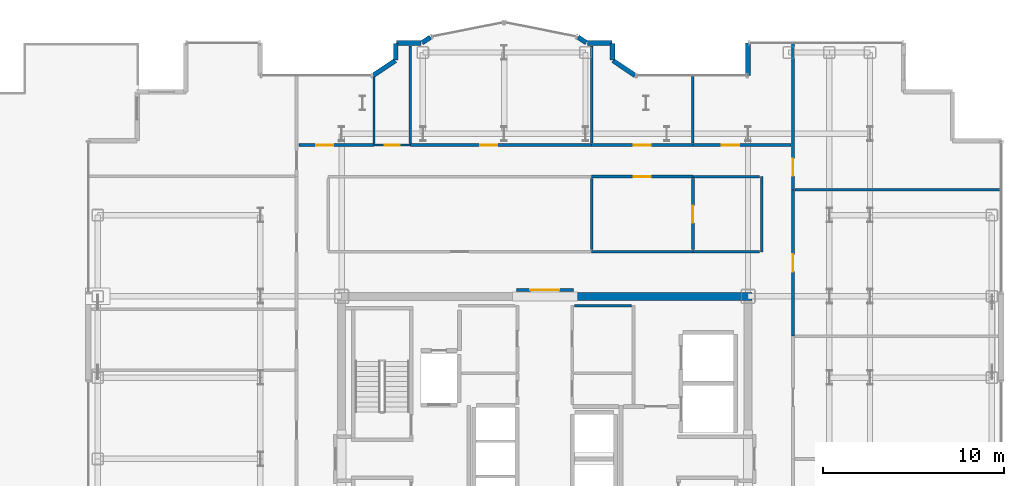
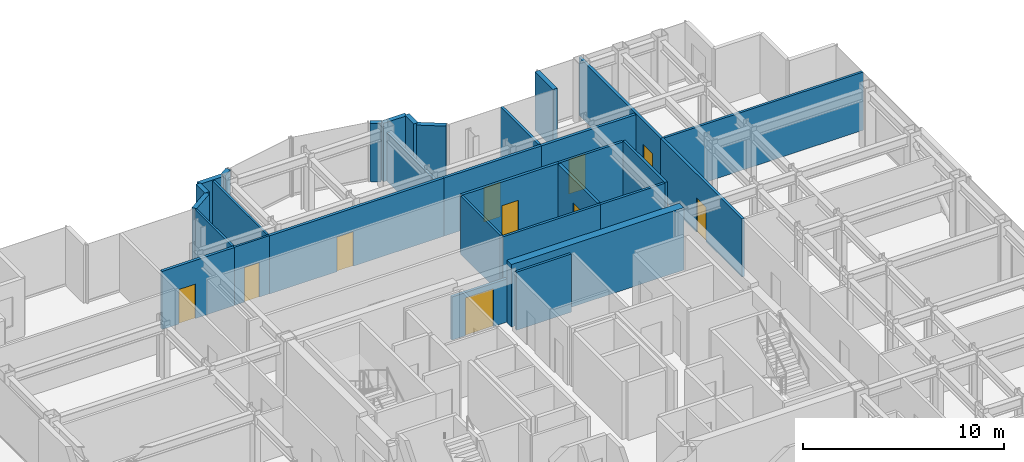
# One storey, part 18 of 21: 31 walls, 10 doors, 10 openings.
"""IFC4 building model written with IfcOpenShell, lengths in metres."""

from ifc_helpers import new_model, si_unit, direction, frame, frame_2d, origin, place, context, subcontext, project, spatial, rectangle, extrude, source, transform, mapped, material, layer, layer_set, type_object, element, fill, save


model = new_model("IFC4")

# Units and contexts
model_context = context("Model", 3, precision=1e-05, world=origin(), true_north=direction((0.0, 1.0)))
body_context = subcontext(model_context, "Body", "Model", "MODEL_VIEW")
ifc_project = project(units=[si_unit("LENGTHUNIT", "METRE"), si_unit("AREAUNIT", "SQUARE_METRE"), si_unit("VOLUMEUNIT", "CUBIC_METRE"), si_unit("PLANEANGLEUNIT", "RADIAN"), si_unit("MASSUNIT", "GRAM", prefix="KILO")], contexts=[model_context])

# Site, building, storey
site_placement = place(None, origin())
site = spatial("IfcSite", under=ifc_project, at=site_placement, CompositionType="ELEMENT")
building_placement = place(site_placement, origin())
building = spatial("IfcBuilding", under=site, at=building_placement, Name="Nefas-Gora Pilgrimage Tower", CompositionType="ELEMENT")
storey_placement = place(building_placement, frame((0.0, 0.0, 206.60009765625)))
storey = spatial("IfcBuildingStorey", under=building, at=storey_placement, Name="L51", CompositionType="ELEMENT", Elevation=206.60009765625)

# Walls
ifc_material_1 = material(Name="Concrete C50/60", Category="concrete")
ifc_layer_1 = layer(ifc_material_1, 0.449951171875)
ifc_layer_set_1 = layer_set([ifc_layer_1], Name="Concrete C50/60")
wall_type_1 = type_object("IfcWallType", Name="SW-CORE-450", PredefinedType="SHEAR", material=ifc_layer_set_1)
shared_shape_1 = source(origin(), body_context, "Body", "SweptSolid", [
    extrude(rectangle(XDim=9.925048828125, YDim=0.449951171875, at=frame_2d((4.96240234375, 0.0))), origin(), (0.0, 0.0, 1.0), 3.7998046875),
])
wall_1_placement = place(storey_placement, frame((1.550048828125, 9.0, 0.0), z_axis=(0.0, 0.0, 1.0), x_axis=(1.0, 0.0, 0.0)))
element("IfcWall", 1, at=wall_1_placement, inside=storey, type_object=wall_type_1, Name="L51 Core Shear Wall N-East", PredefinedType="SHEAR", context=body_context, shape_type="MappedRepresentation", body=[
    mapped(shared_shape_1, transform((0.0, 0.0, 0.0), x_axis=(1.0, 0.0, 0.0), y_axis=(0.0, 1.0, 0.0), z_axis=(0.0, 0.0, 1.0), scale=1.0)),
])
ifc_material_2 = material(Name="Precast concrete C40/50", Category="concrete")
ifc_layer_2 = layer(ifc_material_2, 0.260009765625)
ifc_layer_set_2 = layer_set([ifc_layer_2], Name="Precast concrete C40/50")
wall_type_2 = type_object("IfcWallType", Name="EW-PORTAL-260", PredefinedType="SOLIDWALL", material=ifc_layer_set_2)
shared_shape_2 = source(origin(), body_context, "Body", "SweptSolid", [
    extrude(rectangle(XDim=1.800048828125, YDim=0.260009765625, at=frame_2d((0.89990234375, 0.0))), origin(), (0.0, 0.0, 1.0), 3.5498046875),
])
wall_2_placement = place(storey_placement, frame((11.25, 23.02001953125, 0.0), z_axis=(0.0, 0.0, 1.0), x_axis=(0.0, -1.0, 0.0)))
element("IfcWall", 2, at=wall_2_placement, inside=storey, type_object=wall_type_2, Name="L51 Lobe Shoulder Precast Spandrel Pier 14", PredefinedType="SOLIDWALL", context=body_context, shape_type="MappedRepresentation", body=[
    mapped(shared_shape_2, transform((0.0, 0.0, 0.0), x_axis=(1.0, 0.0, 0.0), y_axis=(0.0, 1.0, 0.0), z_axis=(0.0, 0.0, 1.0), scale=1.0)),
])
shared_shape_3 = source(origin(), body_context, "Body", "SweptSolid", [
    extrude(rectangle(XDim=1.468994140625, YDim=0.260009765625, at=frame_2d((0.734375, 0.0))), origin(), (0.0, 0.0, 1.0), 3.5498046875),
])
for number, where, z_axis, x_axis, name in (
    (3, (4.99462890625, 21.235595703125, 0.0), (0.0, 0.0, 1.0), (-0.831461760506, 0.555581983884, 0.0), "L51 Lobe Shoulder Precast Spandrel Pier 15"),
    (4, (-8.273193359375, 22.0517578125, 0.0), (0.0, 0.0, 1.0), (-0.831461760506, -0.555581983884, 0.0), "L51 Lobe Shoulder Precast Spandrel Pier 22"),
):
    element("IfcWall", number, at=place(storey_placement, frame(where, z_axis=z_axis, x_axis=x_axis)), inside=storey, type_object=wall_type_2, Name=name, PredefinedType="SOLIDWALL", context=body_context, shape_type="MappedRepresentation", body=[
        mapped(shared_shape_3, transform((0.0, 0.0, 0.0), x_axis=(1.0, 0.0, 0.0), y_axis=(0.0, 1.0, 0.0), z_axis=(0.0, 0.0, 1.0), scale=1.0)),
    ])
shared_shape_4 = source(origin(), body_context, "Body", "SweptSolid", [
    extrude(rectangle(XDim=0.896728515625, YDim=0.260009765625, at=frame_2d((0.4482421875, 0.0))), origin(), (0.0, 0.0, 1.0), 3.5498046875),
])
for number, where, z_axis, x_axis, name in (
    (5, (3.75, 22.09521484375, 0.0), (0.0, 0.0, 1.0), (0.0, 1.0, 0.0), "L51 Lobe Shoulder Precast Spandrel Pier 16"),
    (6, (-8.25, 22.991943359375, 0.0), (0.0, 0.0, 1.0), (0.0, -1.0, 0.0), "L51 Lobe Shoulder Precast Spandrel Pier 21"),
):
    element("IfcWall", number, at=place(storey_placement, frame(where, z_axis=z_axis, x_axis=x_axis)), inside=storey, type_object=wall_type_2, Name=name, PredefinedType="SOLIDWALL", context=body_context, shape_type="MappedRepresentation", body=[
        mapped(shared_shape_4, transform((0.0, 0.0, 0.0), x_axis=(1.0, 0.0, 0.0), y_axis=(0.0, 1.0, 0.0), z_axis=(0.0, 0.0, 1.0), scale=1.0)),
    ])
shared_shape_5 = source(origin(), body_context, "Body", "SweptSolid", [
    extrude(rectangle(XDim=1.369873046875, YDim=0.260009765625, at=frame_2d((0.68505859375, 0.0))), origin(), (0.0, 0.0, 1.0), 3.5498046875),
])
for number, where, z_axis, x_axis, name in (
    (7, (3.721923828125, 23.02001953125, 0.0), (0.0, 0.0, 1.0), (-1.0, 0.0, 0.0), "L51 Lobe Shoulder Precast Spandrel Pier 17"),
    (8, (-6.85205078125, 23.02001953125, 0.0), (0.0, 0.0, 1.0), (-1.0, 0.0, 0.0), "L51 Lobe Shoulder Precast Spandrel Pier 20"),
):
    element("IfcWall", number, at=place(storey_placement, frame(where, z_axis=z_axis, x_axis=x_axis)), inside=storey, type_object=wall_type_2, Name=name, PredefinedType="SOLIDWALL", context=body_context, shape_type="MappedRepresentation", body=[
        mapped(shared_shape_5, transform((0.0, 0.0, 0.0), x_axis=(1.0, 0.0, 0.0), y_axis=(0.0, 1.0, 0.0), z_axis=(0.0, 0.0, 1.0), scale=1.0)),
    ])
shared_shape_6 = source(origin(), body_context, "Body", "SweptSolid", [
    extrude(rectangle(XDim=0.5654296875, YDim=0.260009765625, at=frame_2d((0.28271484375, 0.0))), origin(), (0.0, 0.0, 1.0), 3.5498046875),
])
for number, where, z_axis, x_axis, name in (
    (9, (2.30078125, 23.03564453125, 0.0), (0.0, 0.0, 1.0), (-0.831651492666, 0.555297933317, 0.0), "L51 Lobe Shoulder Precast Spandrel Pier 18"),
    (10, (-6.33056640625, 23.349609375, 0.0), (0.0, 0.0, 1.0), (-0.831651492666, -0.555297933317, 0.0), "L51 Lobe Shoulder Precast Spandrel Pier 19"),
):
    element("IfcWall", number, at=place(storey_placement, frame(where, z_axis=z_axis, x_axis=x_axis)), inside=storey, type_object=wall_type_2, Name=name, PredefinedType="SOLIDWALL", context=body_context, shape_type="MappedRepresentation", body=[
        mapped(shared_shape_6, transform((0.0, 0.0, 0.0), x_axis=(1.0, 0.0, 0.0), y_axis=(0.0, 1.0, 0.0), z_axis=(0.0, 0.0, 1.0), scale=1.0)),
    ])

# Wall, opening, door
ifc_material_3 = material(Name="Moisture-resistant fire-rated gypsum partition")
ifc_layer_3 = layer(ifc_material_3, 0.1201171875)
ifc_layer_set_3 = layer_set([ifc_layer_3], Name="Moisture-resistant fire-rated gypsum partition")
wall_type_3 = type_object("IfcWallType", Name="IW-WET-120", PredefinedType="PLUMBINGWALL", material=ifc_layer_set_3)
shared_shape_7 = source(origin(), body_context, "Body", "SweptSolid", [
    extrude(rectangle(XDim=2.02001953125, YDim=0.1201171875, at=frame_2d((1.010009765625, 0.0))), origin(), (0.0, 0.0, 1.0), 3.534912109375),
])
wall_3_placement = place(storey_placement, frame((-9.4599609375, 17.3701171875, 0.0), z_axis=(0.0, 0.0, 1.0), x_axis=(1.0, 0.0, 0.0)))
wall_3 = element("IfcWall", 11, at=wall_3_placement, inside=storey, type_object=wall_type_3, Name="L51 Accessible Unisex WC Partition Wall 29", PredefinedType="PLUMBINGWALL", context=body_context, shape_type="MappedRepresentation", body=[
    mapped(shared_shape_7, transform((0.0, 0.0, 0.0), x_axis=(1.0, 0.0, 0.0), y_axis=(0.0, 1.0, 0.0), z_axis=(0.0, 0.0, 1.0), scale=1.0)),
])
opening_1_placement = place(wall_3_placement, frame((0.5849609375, 0.0, 0.0)))
opening_1 = element("IfcOpeningElement", 12, at=opening_1_placement, cuts=wall_3, Name="Opening ID-BT1", PredefinedType="OPENING", context=body_context, shape_type="SweptSolid", body=[
    extrude(rectangle(XDim=0.85009765625, YDim=2.10009765625, at=frame_2d((0.425048828125, 1.050048828125))), frame((0.0, 0.070068359375, 0.0), z_axis=(0.0, -1.0, 0.0), x_axis=(1.0, 0.0, 0.0)), (0.0, 0.0, 1.0), 0.14013671875),
])
ifc_material_4 = material(Name="Moisture-resistant fire-rated timber door", Category="wood")
door_type_1 = type_object("IfcDoorType", Name="DR-INT-BATH-850", OperationType="NOTDEFINED", PredefinedType="DOOR", material=ifc_material_4)
shared_shape_8 = source(origin(), body_context, "Body", "SweptSolid", [
    extrude(rectangle(XDim=0.85009765625, YDim=2.10009765625, at=frame_2d((0.425048828125, 1.050048828125))), frame((0.0, 0.02490234375, 0.0), z_axis=(0.0, -1.0, 0.0), x_axis=(1.0, 0.0, 0.0)), (0.0, 0.0, 1.0), 0.050048828125),
])
door_1_placement = place(opening_1_placement, origin())
door_1 = element("IfcDoor", 13, at=door_1_placement, inside=storey, type_object=door_type_1, Name="L51 Accessible Unisex WC Door 12", OperationType="SINGLE_SWING_RIGHT", OverallHeight=2.10009765625, OverallWidth=0.85009765625, PredefinedType="DOOR", context=body_context, shape_type="MappedRepresentation", body=[
    mapped(shared_shape_8, transform((0.0, 0.0, 0.0), x_axis=(1.0, 0.0, 0.0), y_axis=(0.0, 1.0, 0.0), z_axis=(0.0, 0.0, 1.0), scale=1.0)),
])
fill(opening_1, door_1)

ifc_material_5 = material(Name="Gypsum acoustic stud partition")
ifc_layer_4 = layer(ifc_material_5, 0.159912109375)
ifc_layer_set_4 = layer_set([ifc_layer_4], Name="Gypsum acoustic stud partition")
wall_type_4 = type_object("IfcWallType", Name="IW-CORR-160", PredefinedType="PARTITIONING", material=ifc_layer_set_4)
shared_shape_9 = source(origin(), body_context, "Body", "SweptSolid", [
    extrude(rectangle(XDim=5.425048828125, YDim=0.159912109375, at=frame_2d((2.71240234375, 0.0))), origin(), (0.0, 0.0, 1.0), 3.534912109375),
])
wall_4_placement = place(storey_placement, frame((8.195068359375, 17.3701171875, 0.0), z_axis=(0.0, 0.0, 1.0), x_axis=(1.0, 0.0, 0.0)))
wall_4 = element("IfcWall", 14, at=wall_4_placement, inside=storey, type_object=wall_type_4, Name="L51 Pilgrim Contemplative Lounge Partition Wall 68", PredefinedType="PARTITIONING", context=body_context, shape_type="MappedRepresentation", body=[
    mapped(shared_shape_9, transform((0.0, 0.0, 0.0), x_axis=(1.0, 0.0, 0.0), y_axis=(0.0, 1.0, 0.0), z_axis=(0.0, 0.0, 1.0), scale=1.0)),
])
opening_2_placement = place(wall_4_placement, frame((1.611083984375, 0.0, 0.0)))
opening_2 = element("IfcOpeningElement", 15, at=opening_2_placement, cuts=wall_4, Name="Opening ID-GR1", PredefinedType="OPENING", context=body_context, shape_type="SweptSolid", body=[
    extrude(rectangle(XDim=0.949951171875, YDim=2.10009765625, at=frame_2d((0.47509765625, 1.050048828125))), frame((0.0, 0.08984375, 0.0), z_axis=(0.0, -1.0, 0.0), x_axis=(1.0, 0.0, 0.0)), (0.0, 0.0, 1.0), 0.179931640625),
])
ifc_material_6 = material(Name="Solid core oak fire-rated guest entrance door")
door_type_2 = type_object("IfcDoorType", Name="DR-INT-GUEST-950", OperationType="NOTDEFINED", PredefinedType="DOOR", material=ifc_material_6)
shared_shape_10 = source(origin(), body_context, "Body", "SweptSolid", [
    extrude(rectangle(XDim=0.949951171875, YDim=2.10009765625, at=frame_2d((0.47509765625, 1.050048828125))), frame((0.0, 0.02490234375, 0.0), z_axis=(0.0, -1.0, 0.0), x_axis=(1.0, 0.0, 0.0)), (0.0, 0.0, 1.0), 0.050048828125),
])
door_2_placement = place(opening_2_placement, origin())
door_2 = element("IfcDoor", 16, at=door_2_placement, inside=storey, type_object=door_type_2, Name="L51 Pilgrim Contemplative Lounge Door 32", OperationType="SINGLE_SWING_RIGHT", OverallHeight=2.10009765625, OverallWidth=0.949951171875, PredefinedType="DOOR", context=body_context, shape_type="MappedRepresentation", body=[
    mapped(shared_shape_10, transform((0.0, 0.0, 0.0), x_axis=(1.0, 0.0, 0.0), y_axis=(0.0, 1.0, 0.0), z_axis=(0.0, 0.0, 1.0), scale=1.0)),
])
fill(opening_2, door_2)

# Wall
ifc_material_7 = material(Name="Gypsum twin-stud partition")
ifc_layer_5 = layer(ifc_material_7, 0.139892578125)
ifc_layer_set_5 = layer_set([ifc_layer_5], Name="Gypsum twin-stud partition")
wall_type_5 = type_object("IfcWallType", Name="IW-UNIT-140", PredefinedType="PARTITIONING", material=ifc_layer_set_5)
shared_shape_11 = source(origin(), body_context, "Body", "SweptSolid", [
    extrude(rectangle(XDim=3.150146484375, YDim=0.139892578125, at=frame_2d((1.5751953125, 0.0))), origin(), (0.0, 0.0, 1.0), 3.534912109375),
])
wall_5_placement = place(storey_placement, frame((1.639892578125, 8.47998046875, 0.0), z_axis=(0.0, 0.0, 1.0), x_axis=(1.0, 0.0, 0.0)))
element("IfcWall", 17, at=wall_5_placement, inside=storey, type_object=wall_type_5, Name="L51 Amenity Supply Store Partition Wall 25", PredefinedType="PARTITIONING", context=body_context, shape_type="MappedRepresentation", body=[
    mapped(shared_shape_11, transform((0.0, 0.0, 0.0), x_axis=(1.0, 0.0, 0.0), y_axis=(0.0, 1.0, 0.0), z_axis=(0.0, 0.0, 1.0), scale=1.0)),
])

# Wall, opening, door
shared_shape_12 = source(origin(), body_context, "Body", "SweptSolid", [
    extrude(rectangle(XDim=5.610107421875, YDim=0.159912109375, at=frame_2d((2.80517578125, 0.0))), origin(), (0.0, 0.0, 1.0), 3.534912109375),
])
wall_6_placement = place(storey_placement, frame((2.594970703125, 17.3701171875, 0.0), z_axis=(0.0, 0.0, 1.0), x_axis=(1.0, 0.0, 0.0)))
wall_6 = element("IfcWall", 18, at=wall_6_placement, inside=storey, type_object=wall_type_4, Name="L51 Pilgrim Contemplative Lounge Partition Wall 63", PredefinedType="PARTITIONING", context=body_context, shape_type="MappedRepresentation", body=[
    mapped(shared_shape_12, transform((0.0, 0.0, 0.0), x_axis=(1.0, 0.0, 0.0), y_axis=(0.0, 1.0, 0.0), z_axis=(0.0, 0.0, 1.0), scale=1.0)),
])
opening_3_placement = place(wall_6_placement, frame((2.330078125, 0.0, 0.0)))
opening_3 = element("IfcOpeningElement", 19, at=opening_3_placement, cuts=wall_6, Name="Opening ID-GR1", PredefinedType="OPENING", context=body_context, shape_type="SweptSolid", body=[
    extrude(rectangle(XDim=0.949951171875, YDim=2.10009765625, at=frame_2d((0.47509765625, 1.050048828125))), frame((0.0, 0.08984375, 0.0), z_axis=(0.0, -1.0, 0.0), x_axis=(1.0, 0.0, 0.0)), (0.0, 0.0, 1.0), 0.179931640625),
])
door_3_placement = place(opening_3_placement, origin())
door_3 = element("IfcDoor", 20, at=door_3_placement, inside=storey, type_object=door_type_2, Name="L51 Pilgrim Contemplative Lounge Door 29", OperationType="SINGLE_SWING_LEFT", OverallHeight=2.10009765625, OverallWidth=0.949951171875, PredefinedType="DOOR", context=body_context, shape_type="MappedRepresentation", body=[
    mapped(shared_shape_10, transform((0.0, 0.0, 0.0), x_axis=(1.0, 0.0, 0.0), y_axis=(0.0, 1.0, 0.0), z_axis=(0.0, 0.0, 1.0), scale=1.0)),
])
fill(opening_3, door_3)

wall_7_placement = place(storey_placement, frame((2.594970703125, 15.6298828125, 0.0), z_axis=(0.0, 0.0, 1.0), x_axis=(1.0, 0.0, 0.0)))
wall_7 = element("IfcWall", 21, at=wall_7_placement, inside=storey, type_object=wall_type_4, Name="L51 Scripture Reading Study Partition Wall 65", PredefinedType="PARTITIONING", context=body_context, shape_type="MappedRepresentation", body=[
    mapped(shared_shape_12, transform((0.0, 0.0, 0.0), x_axis=(1.0, 0.0, 0.0), y_axis=(0.0, 1.0, 0.0), z_axis=(0.0, 0.0, 1.0), scale=1.0)),
])
opening_4_placement = place(wall_7_placement, frame((2.330078125, 0.0, 0.0)))
opening_4 = element("IfcOpeningElement", 22, at=opening_4_placement, cuts=wall_7, Name="Opening ID-GR1", PredefinedType="OPENING", context=body_context, shape_type="SweptSolid", body=[
    extrude(rectangle(XDim=0.949951171875, YDim=2.10009765625, at=frame_2d((0.47509765625, 1.050048828125))), frame((0.0, 0.08984375, 0.0), z_axis=(0.0, -1.0, 0.0), x_axis=(1.0, 0.0, 0.0)), (0.0, 0.0, 1.0), 0.179931640625),
])
door_4_placement = place(opening_4_placement, origin())
door_4 = element("IfcDoor", 23, at=door_4_placement, inside=storey, type_object=door_type_2, Name="L51 Scripture Reading Study Door 30", OperationType="SINGLE_SWING_RIGHT", OverallHeight=2.10009765625, OverallWidth=0.949951171875, PredefinedType="DOOR", context=body_context, shape_type="MappedRepresentation", body=[
    mapped(shared_shape_10, transform((0.0, 0.0, 0.0), x_axis=(1.0, 0.0, 0.0), y_axis=(0.0, 1.0, 0.0), z_axis=(0.0, 0.0, 1.0), scale=1.0)),
])
fill(opening_4, door_4)

# Walls
shared_shape_13 = source(origin(), body_context, "Body", "SweptSolid", [
    extrude(rectangle(XDim=5.380126953125, YDim=0.1201171875, at=frame_2d((2.68994140625, 0.0))), origin(), (0.0, 0.0, 1.0), 3.534912109375),
])
wall_8_placement = place(storey_placement, frame((-7.449951171875, 17.469970703125, 0.0), z_axis=(0.0, 0.0, 1.0), x_axis=(0.0, 1.0, 0.0)))
element("IfcWall", 24, at=wall_8_placement, inside=storey, type_object=wall_type_3, Name="L51 Accessible Unisex WC Partition Wall 30", PredefinedType="PLUMBINGWALL", context=body_context, shape_type="MappedRepresentation", body=[
    mapped(shared_shape_13, transform((0.0, 0.0, 0.0), x_axis=(1.0, 0.0, 0.0), y_axis=(0.0, 1.0, 0.0), z_axis=(0.0, 0.0, 1.0), scale=1.0)),
])
shared_shape_14 = source(origin(), body_context, "Body", "SweptSolid", [
    extrude(rectangle(XDim=3.686767578125, YDim=0.1201171875, at=frame_2d((1.84326171875, 0.0))), origin(), (0.0, 0.0, 1.0), 3.534912109375),
])
wall_9_placement = place(storey_placement, frame((-9.449951171875, 17.469970703125, 0.0), z_axis=(0.0, 0.0, 1.0), x_axis=(0.0, 1.0, 0.0)))
element("IfcWall", 25, at=wall_9_placement, inside=storey, type_object=wall_type_3, Name="L51 Accessible Unisex WC Partition Wall 31", PredefinedType="PLUMBINGWALL", context=body_context, shape_type="MappedRepresentation", body=[
    mapped(shared_shape_14, transform((0.0, 0.0, 0.0), x_axis=(1.0, 0.0, 0.0), y_axis=(0.0, 1.0, 0.0), z_axis=(0.0, 0.0, 1.0), scale=1.0)),
])
shared_shape_15 = source(origin(), body_context, "Body", "SweptSolid", [
    extrude(rectangle(XDim=11.429931640625, YDim=0.139892578125, at=frame_2d((5.71484375, 0.0))), origin(), (0.0, 0.0, 1.0), 3.534912109375),
])
wall_10_placement = place(storey_placement, frame((13.860107421875, 14.8974609375, 0.0), z_axis=(0.0, 0.0, 1.0), x_axis=(1.0, 0.0, 0.0)))
element("IfcWall", 26, at=wall_10_placement, inside=storey, type_object=wall_type_5, Name="L51 Pilgrim Contemplative Lounge Partition Wall 54", PredefinedType="PARTITIONING", context=body_context, shape_type="MappedRepresentation", body=[
    mapped(shared_shape_15, transform((0.0, 0.0, 0.0), x_axis=(1.0, 0.0, 0.0), y_axis=(0.0, 1.0, 0.0), z_axis=(0.0, 0.0, 1.0), scale=1.0)),
])
shared_shape_16 = source(origin(), body_context, "Body", "SweptSolid", [
    extrude(rectangle(XDim=3.929931640625, YDim=0.139892578125, at=frame_2d((1.96484375, 0.0))), origin(), (0.0, 0.0, 1.0), 3.534912109375),
])
wall_11_placement = place(storey_placement, frame((2.594970703125, 11.590087890625, 0.0), z_axis=(0.0, 0.0, 1.0), x_axis=(0.0, 1.0, 0.0)))
element("IfcWall", 27, at=wall_11_placement, inside=storey, type_object=wall_type_5, Name="L51 Pilgrim Contemplative Lounge Partition Wall 59", PredefinedType="PARTITIONING", context=body_context, shape_type="MappedRepresentation", body=[
    mapped(shared_shape_16, transform((0.0, 0.0, 0.0), x_axis=(1.0, 0.0, 0.0), y_axis=(0.0, 1.0, 0.0), z_axis=(0.0, 0.0, 1.0), scale=1.0)),
])

# Wall, opening, door
shared_shape_17 = source(origin(), body_context, "Body", "SweptSolid", [
    extrude(rectangle(XDim=4.16015625, YDim=0.159912109375, at=frame_2d((2.080078125, 0.0))), origin(), (0.0, 0.0, 1.0), 3.534912109375),
])
wall_12_placement = place(storey_placement, frame((-13.6201171875, 17.3701171875, 0.0), z_axis=(0.0, 0.0, 1.0), x_axis=(1.0, 0.0, 0.0)))
wall_12 = element("IfcWall", 28, at=wall_12_placement, inside=storey, type_object=wall_type_4, Name="L51 Pilgrim Contemplative Lounge Partition Wall 62", PredefinedType="PARTITIONING", context=body_context, shape_type="MappedRepresentation", body=[
    mapped(shared_shape_17, transform((0.0, 0.0, 0.0), x_axis=(1.0, 0.0, 0.0), y_axis=(0.0, 1.0, 0.0), z_axis=(0.0, 0.0, 1.0), scale=1.0)),
])
opening_5_placement = place(wall_12_placement, frame((0.968994140625, 0.0, 0.0)))
opening_5 = element("IfcOpeningElement", 29, at=opening_5_placement, cuts=wall_12, Name="Opening ID-GR1", PredefinedType="OPENING", context=body_context, shape_type="SweptSolid", body=[
    extrude(rectangle(XDim=0.949951171875, YDim=2.10009765625, at=frame_2d((0.47509765625, 1.050048828125))), frame((0.0, 0.08984375, 0.0), z_axis=(0.0, -1.0, 0.0), x_axis=(1.0, 0.0, 0.0)), (0.0, 0.0, 1.0), 0.179931640625),
])
door_5_placement = place(opening_5_placement, origin())
door_5 = element("IfcDoor", 30, at=door_5_placement, inside=storey, type_object=door_type_2, Name="L51 Pilgrim Contemplative Lounge Door 28", OperationType="SINGLE_SWING_RIGHT", OverallHeight=2.10009765625, OverallWidth=0.949951171875, PredefinedType="DOOR", context=body_context, shape_type="MappedRepresentation", body=[
    mapped(shared_shape_10, transform((0.0, 0.0, 0.0), x_axis=(1.0, 0.0, 0.0), y_axis=(0.0, 1.0, 0.0), z_axis=(0.0, 0.0, 1.0), scale=1.0)),
])
fill(opening_5, door_5)

# Wall
shared_shape_18 = source(origin(), body_context, "Body", "SweptSolid", [
    extrude(rectangle(XDim=3.75, YDim=0.139892578125, at=frame_2d((1.875, 0.0))), origin(), (0.0, 0.0, 1.0), 3.534912109375),
])
wall_13_placement = place(storey_placement, frame((8.195068359375, 17.489990234375, 0.0), z_axis=(0.0, 0.0, 1.0), x_axis=(0.0, 1.0, 0.0)))
element("IfcWall", 31, at=wall_13_placement, inside=storey, type_object=wall_type_5, Name="L51 Pilgrim Contemplative Lounge Partition Wall 64", PredefinedType="PARTITIONING", context=body_context, shape_type="MappedRepresentation", body=[
    mapped(shared_shape_18, transform((0.0, 0.0, 0.0), x_axis=(1.0, 0.0, 0.0), y_axis=(0.0, 1.0, 0.0), z_axis=(0.0, 0.0, 1.0), scale=1.0)),
])

# Wall, opening, door
shared_shape_19 = source(origin(), body_context, "Body", "SweptSolid", [
    extrude(rectangle(XDim=3.929931640625, YDim=0.159912109375, at=frame_2d((1.96484375, 0.0))), origin(), (0.0, 0.0, 1.0), 3.534912109375),
])
wall_14_placement = place(storey_placement, frame((8.195068359375, 11.580078125, 0.0), z_axis=(0.0, 0.0, 1.0), x_axis=(0.0, 1.0, 0.0)))
wall_14 = element("IfcWall", 32, at=wall_14_placement, inside=storey, type_object=wall_type_4, Name="L51 Scripture Reading Study Partition Wall 67", PredefinedType="PARTITIONING", context=body_context, shape_type="MappedRepresentation", body=[
    mapped(shared_shape_19, transform((0.0, 0.0, 0.0), x_axis=(1.0, 0.0, 0.0), y_axis=(0.0, 1.0, 0.0), z_axis=(0.0, 0.0, 1.0), scale=1.0)),
])
opening_6_placement = place(wall_14_placement, frame((1.489990234375, 0.0, 0.0)))
opening_6 = element("IfcOpeningElement", 33, at=opening_6_placement, cuts=wall_14, Name="Opening ID-GR1", PredefinedType="OPENING", context=body_context, shape_type="SweptSolid", body=[
    extrude(rectangle(XDim=0.949951171875, YDim=2.10009765625, at=frame_2d((0.47509765625, 1.050048828125))), frame((0.0, 0.08984375, 0.0), z_axis=(0.0, -1.0, 0.0), x_axis=(1.0, 0.0, 0.0)), (0.0, 0.0, 1.0), 0.179931640625),
])
door_6_placement = place(opening_6_placement, origin())
door_6 = element("IfcDoor", 34, at=door_6_placement, inside=storey, type_object=door_type_2, Name="L51 Pilgrim Contemplative Lounge Door 31", OperationType="SINGLE_SWING_LEFT", OverallHeight=2.10009765625, OverallWidth=0.949951171875, PredefinedType="DOOR", context=body_context, shape_type="MappedRepresentation", body=[
    mapped(shared_shape_10, transform((0.0, 0.0, 0.0), x_axis=(1.0, 0.0, 0.0), y_axis=(0.0, 1.0, 0.0), z_axis=(0.0, 0.0, 1.0), scale=1.0)),
])
fill(opening_6, door_6)

# Walls
shared_shape_20 = source(origin(), body_context, "Body", "SweptSolid", [
    extrude(rectangle(XDim=4.179931640625, YDim=0.139892578125, at=frame_2d((2.08984375, 0.0))), origin(), (0.0, 0.0, 1.0), 3.534912109375),
])
wall_15_placement = place(storey_placement, frame((12.0, 11.4599609375, 0.0), z_axis=(0.0, 0.0, 1.0), x_axis=(0.0, 1.0, 0.0)))
element("IfcWall", 35, at=wall_15_placement, inside=storey, type_object=wall_type_5, Name="L51 Pilgrim Contemplative Lounge Partition Wall 69", PredefinedType="PARTITIONING", context=body_context, shape_type="MappedRepresentation", body=[
    mapped(shared_shape_20, transform((0.0, 0.0, 0.0), x_axis=(1.0, 0.0, 0.0), y_axis=(0.0, 1.0, 0.0), z_axis=(0.0, 0.0, 1.0), scale=1.0)),
])
shared_shape_21 = source(origin(), body_context, "Body", "SweptSolid", [
    extrude(rectangle(XDim=3.69482421875, YDim=0.139892578125, at=frame_2d((1.847412109375, 0.0))), origin(), (0.0, 0.0, 1.0), 3.534912109375),
])
for number, where, z_axis, x_axis, name in (
    (36, (8.195068359375, 15.6298828125, 0.0), (0.0, 0.0, 1.0), (1.0, 0.0, 0.0), "L51 Pilgrim Contemplative Lounge Partition Wall 70"),
    (37, (8.195068359375, 11.469970703125, 0.0), (0.0, 0.0, 1.0), (1.0, 0.0, 0.0), "L51 Pilgrim Contemplative Lounge Partition Wall 71"),
):
    element("IfcWall", number, at=place(storey_placement, frame(where, z_axis=z_axis, x_axis=x_axis)), inside=storey, type_object=wall_type_5, Name=name, PredefinedType="PARTITIONING", context=body_context, shape_type="MappedRepresentation", body=[
        mapped(shared_shape_21, transform((0.0, 0.0, 0.0), x_axis=(1.0, 0.0, 0.0), y_axis=(0.0, 1.0, 0.0), z_axis=(0.0, 0.0, 1.0), scale=1.0)),
    ])

# Wall, opening, door
shared_shape_22 = source(origin(), body_context, "Body", "SweptSolid", [
    extrude(rectangle(XDim=3.16015625, YDim=0.159912109375, at=frame_2d((1.580078125, 0.0))), origin(), (0.0, 0.0, 1.0), 2.625),
])
wall_16_placement = place(storey_placement, frame((-1.580078125, 9.35009765625, 0.0), z_axis=(0.0, 0.0, 1.0), x_axis=(1.0, 0.0, 0.0)))
wall_16 = element("IfcWall", 38, at=wall_16_placement, inside=storey, type_object=wall_type_4, Name="L51 Central Lift Lobby North Portal Wall 15", PredefinedType="PARTITIONING", context=body_context, shape_type="MappedRepresentation", body=[
    mapped(shared_shape_22, transform((0.0, 0.0, 0.0), x_axis=(1.0, 0.0, 0.0), y_axis=(0.0, 1.0, 0.0), z_axis=(0.0, 0.0, 1.0), scale=1.0)),
])
opening_7_placement = place(wall_16_placement, frame((0.780029296875, 0.0, 0.0)))
opening_7 = element("IfcOpeningElement", 39, at=opening_7_placement, cuts=wall_16, Name="Opening ID-HL1", PredefinedType="OPENING", context=body_context, shape_type="SweptSolid", body=[
    extrude(rectangle(XDim=1.60009765625, YDim=2.300048828125, at=frame_2d((0.800048828125, 1.14990234375))), frame((0.0, 0.08984375, 0.0), z_axis=(0.0, -1.0, 0.0), x_axis=(1.0, 0.0, 0.0)), (0.0, 0.0, 1.0), 0.179931640625),
])
ifc_material_8 = material(Name="Double acoustic timber assembly hall door", Category="wood")
door_type_3 = type_object("IfcDoorType", Name="DR-INT-HALL-1600", OperationType="DOUBLE_DOOR_SINGLE_SWING", PredefinedType="DOOR", material=ifc_material_8)
shared_shape_23 = source(origin(), body_context, "Body", "SweptSolid", [
    extrude(rectangle(XDim=1.60009765625, YDim=2.300048828125, at=frame_2d((0.800048828125, 1.14990234375))), frame((0.0, 0.02490234375, 0.0), z_axis=(0.0, -1.0, 0.0), x_axis=(1.0, 0.0, 0.0)), (0.0, 0.0, 1.0), 0.050048828125),
])
door_7_placement = place(opening_7_placement, origin())
door_7 = element("IfcDoor", 40, at=door_7_placement, inside=storey, type_object=door_type_3, Name="L51 Central Lift Lobby North Portal Door 5", OperationType="DOUBLE_DOOR_SINGLE_SWING", OverallHeight=2.300048828125, OverallWidth=1.60009765625, PredefinedType="DOOR", context=body_context, shape_type="MappedRepresentation", body=[
    mapped(shared_shape_23, transform((0.0, 0.0, 0.0), x_axis=(1.0, 0.0, 0.0), y_axis=(0.0, 1.0, 0.0), z_axis=(0.0, 0.0, 1.0), scale=1.0)),
])
fill(opening_7, door_7)

shared_shape_24 = source(origin(), body_context, "Body", "SweptSolid", [
    extrude(rectangle(XDim=8.152587890625, YDim=0.159912109375, at=frame_2d((4.076171875, 0.0))), origin(), (0.0, 0.0, 1.0), 3.534912109375),
])
wall_17_placement = place(storey_placement, frame((13.739990234375, 14.887451171875, 0.0), z_axis=(0.0, 0.0, 1.0), x_axis=(0.0, 1.0, 0.0)))
wall_17 = element("IfcWall", 41, at=wall_17_placement, inside=storey, type_object=wall_type_4, Name="L51 Pilgrim Contemplative Lounge Partition Wall 53", PredefinedType="PARTITIONING", context=body_context, shape_type="MappedRepresentation", body=[
    mapped(shared_shape_24, transform((0.0, 0.0, 0.0), x_axis=(1.0, 0.0, 0.0), y_axis=(0.0, 1.0, 0.0), z_axis=(0.0, 0.0, 1.0), scale=1.0)),
])
opening_8_placement = place(wall_17_placement, frame((0.786376953125, 0.0, 0.0)))
opening_8 = element("IfcOpeningElement", 42, at=opening_8_placement, cuts=wall_17, Name="Opening ID-GR1", PredefinedType="OPENING", context=body_context, shape_type="SweptSolid", body=[
    extrude(rectangle(XDim=0.949951171875, YDim=2.10009765625, at=frame_2d((0.47509765625, 1.050048828125))), frame((0.0, 0.08984375, 0.0), z_axis=(0.0, -1.0, 0.0), x_axis=(1.0, 0.0, 0.0)), (0.0, 0.0, 1.0), 0.179931640625),
])
door_8_placement = place(opening_8_placement, origin())
door_8 = element("IfcDoor", 43, at=door_8_placement, inside=storey, type_object=door_type_2, Name="L51 Pilgrim Contemplative Lounge Door 24", OperationType="SINGLE_SWING_RIGHT", OverallHeight=2.10009765625, OverallWidth=0.949951171875, PredefinedType="DOOR", context=body_context, shape_type="MappedRepresentation", body=[
    mapped(shared_shape_10, transform((0.0, 0.0, 0.0), x_axis=(1.0, 0.0, 0.0), y_axis=(0.0, 1.0, 0.0), z_axis=(0.0, 0.0, 1.0), scale=1.0)),
])
fill(opening_8, door_8)

shared_shape_25 = source(origin(), body_context, "Body", "SweptSolid", [
    extrude(rectangle(XDim=8.092529296875, YDim=0.159912109375, at=frame_2d((4.04638671875, 0.0))), origin(), (0.0, 0.0, 1.0), 3.534912109375),
])
wall_18_placement = place(storey_placement, frame((13.739990234375, 6.794921875, 0.0), z_axis=(0.0, 0.0, 1.0), x_axis=(0.0, 1.0, 0.0)))
wall_18 = element("IfcWall", 44, at=wall_18_placement, inside=storey, type_object=wall_type_4, Name="L51 Pilgrim Contemplative Lounge Partition Wall 55", PredefinedType="PARTITIONING", context=body_context, shape_type="MappedRepresentation", body=[
    mapped(shared_shape_25, transform((0.0, 0.0, 0.0), x_axis=(1.0, 0.0, 0.0), y_axis=(0.0, 1.0, 0.0), z_axis=(0.0, 0.0, 1.0), scale=1.0)),
])
opening_9_placement = place(wall_18_placement, frame((3.5712890625, 0.0, 0.0)))
opening_9 = element("IfcOpeningElement", 45, at=opening_9_placement, cuts=wall_18, Name="Opening ID-GR1", PredefinedType="OPENING", context=body_context, shape_type="SweptSolid", body=[
    extrude(rectangle(XDim=0.949951171875, YDim=2.10009765625, at=frame_2d((0.47509765625, 1.050048828125))), frame((0.0, 0.08984375, 0.0), z_axis=(0.0, -1.0, 0.0), x_axis=(1.0, 0.0, 0.0)), (0.0, 0.0, 1.0), 0.179931640625),
])
door_9_placement = place(opening_9_placement, origin())
door_9 = element("IfcDoor", 46, at=door_9_placement, inside=storey, type_object=door_type_2, Name="L51 Pilgrim Contemplative Lounge Door 25", OperationType="SINGLE_SWING_LEFT", OverallHeight=2.10009765625, OverallWidth=0.949951171875, PredefinedType="DOOR", context=body_context, shape_type="MappedRepresentation", body=[
    mapped(shared_shape_10, transform((0.0, 0.0, 0.0), x_axis=(1.0, 0.0, 0.0), y_axis=(0.0, 1.0, 0.0), z_axis=(0.0, 0.0, 1.0), scale=1.0)),
])
fill(opening_9, door_9)

shared_shape_26 = source(origin(), body_context, "Body", "SweptSolid", [
    extrude(rectangle(XDim=10.044921875, YDim=0.159912109375, at=frame_2d((5.0224609375, 0.0))), origin(), (0.0, 0.0, 1.0), 3.534912109375),
])
wall_19_placement = place(storey_placement, frame((-7.43994140625, 17.3701171875, 0.0), z_axis=(0.0, 0.0, 1.0), x_axis=(1.0, 0.0, 0.0)))
wall_19 = element("IfcWall", 47, at=wall_19_placement, inside=storey, type_object=wall_type_4, Name="L51 Pilgrim Contemplative Lounge Partition Wall 60", PredefinedType="PARTITIONING", context=body_context, shape_type="MappedRepresentation", body=[
    mapped(shared_shape_26, transform((0.0, 0.0, 0.0), x_axis=(1.0, 0.0, 0.0), y_axis=(0.0, 1.0, 0.0), z_axis=(0.0, 0.0, 1.0), scale=1.0)),
])
opening_10_placement = place(wall_19_placement, frame((3.86474609375, 0.0, 0.0)))
opening_10 = element("IfcOpeningElement", 48, at=opening_10_placement, cuts=wall_19, Name="Opening ID-GR1", PredefinedType="OPENING", context=body_context, shape_type="SweptSolid", body=[
    extrude(rectangle(XDim=0.949951171875, YDim=2.10009765625, at=frame_2d((0.47509765625, 1.050048828125))), frame((0.0, 0.08984375, 0.0), z_axis=(0.0, -1.0, 0.0), x_axis=(1.0, 0.0, 0.0)), (0.0, 0.0, 1.0), 0.179931640625),
])
door_10_placement = place(opening_10_placement, origin())
door_10 = element("IfcDoor", 49, at=door_10_placement, inside=storey, type_object=door_type_2, Name="L51 Pilgrim Contemplative Lounge Door 27", OperationType="SINGLE_SWING_LEFT", OverallHeight=2.10009765625, OverallWidth=0.949951171875, PredefinedType="DOOR", context=body_context, shape_type="MappedRepresentation", body=[
    mapped(shared_shape_10, transform((0.0, 0.0, 0.0), x_axis=(1.0, 0.0, 0.0), y_axis=(0.0, 1.0, 0.0), z_axis=(0.0, 0.0, 1.0), scale=1.0)),
])
fill(opening_10, door_10)

# Walls
shared_shape_27 = source(origin(), body_context, "Body", "SweptSolid", [
    extrude(rectangle(XDim=5.360107421875, YDim=0.139892578125, at=frame_2d((2.68017578125, 0.0))), origin(), (0.0, 0.0, 1.0), 2.9248046875),
])
wall_20_placement = place(storey_placement, frame((2.594970703125, 17.489990234375, 0.0), z_axis=(0.0, 0.0, 1.0), x_axis=(0.0, 1.0, 0.0)))
element("IfcWall", 50, at=wall_20_placement, inside=storey, type_object=wall_type_5, Name="L51 Pilgrim Contemplative Lounge Partition Wall 61", PredefinedType="PARTITIONING", context=body_context, shape_type="MappedRepresentation", body=[
    mapped(shared_shape_27, transform((0.0, 0.0, 0.0), x_axis=(1.0, 0.0, 0.0), y_axis=(0.0, 1.0, 0.0), z_axis=(0.0, 0.0, 1.0), scale=1.0)),
])
shared_shape_28 = source(origin(), body_context, "Body", "SweptSolid", [
    extrude(rectangle(XDim=5.610107421875, YDim=0.139892578125, at=frame_2d((2.80517578125, 0.0))), origin(), (0.0, 0.0, 1.0), 3.534912109375),
])
wall_21_placement = place(storey_placement, frame((2.594970703125, 11.469970703125, 0.0), z_axis=(0.0, 0.0, 1.0), x_axis=(1.0, 0.0, 0.0)))
element("IfcWall", 51, at=wall_21_placement, inside=storey, type_object=wall_type_5, Name="L51 Scripture Reading Study Partition Wall 66", PredefinedType="PARTITIONING", context=body_context, shape_type="MappedRepresentation", body=[
    mapped(shared_shape_28, transform((0.0, 0.0, 0.0), x_axis=(1.0, 0.0, 0.0), y_axis=(0.0, 1.0, 0.0), z_axis=(0.0, 0.0, 1.0), scale=1.0)),
])

save(model, "model.ifc")
